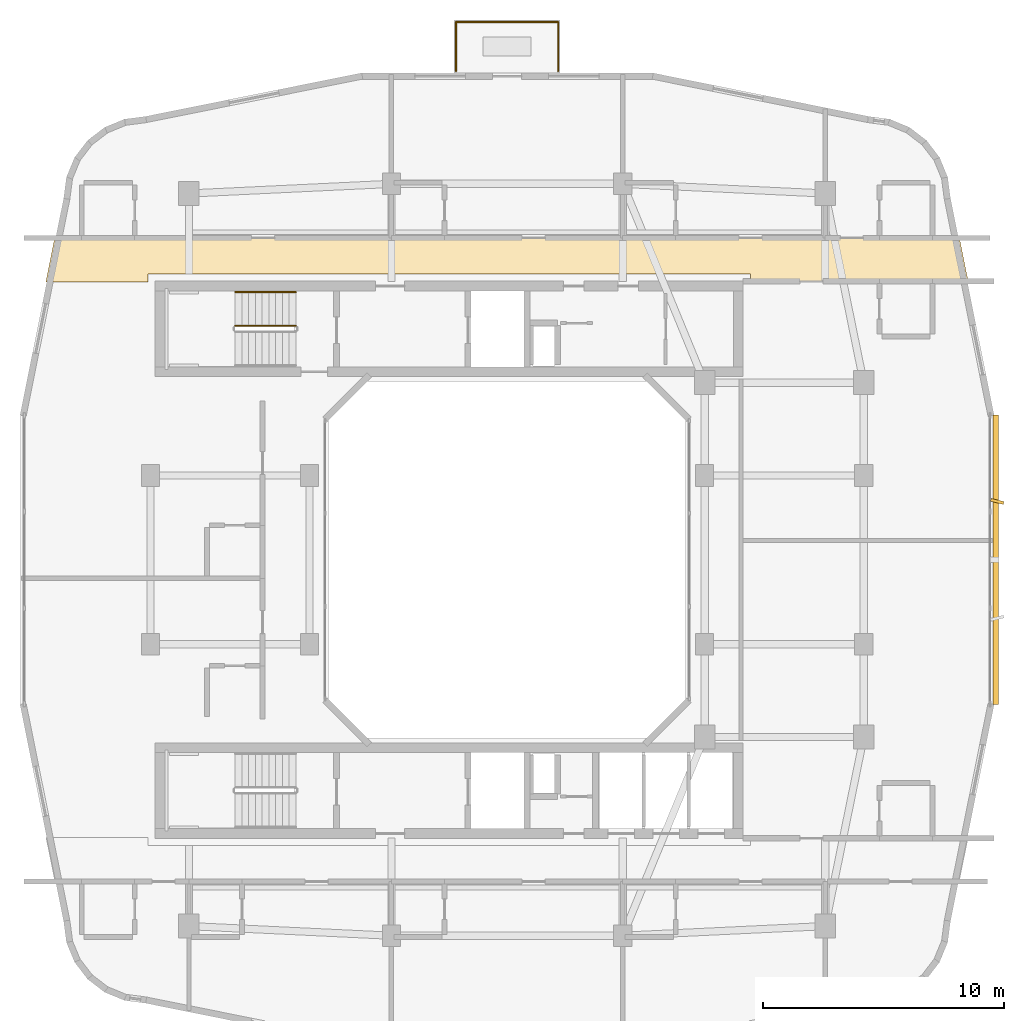
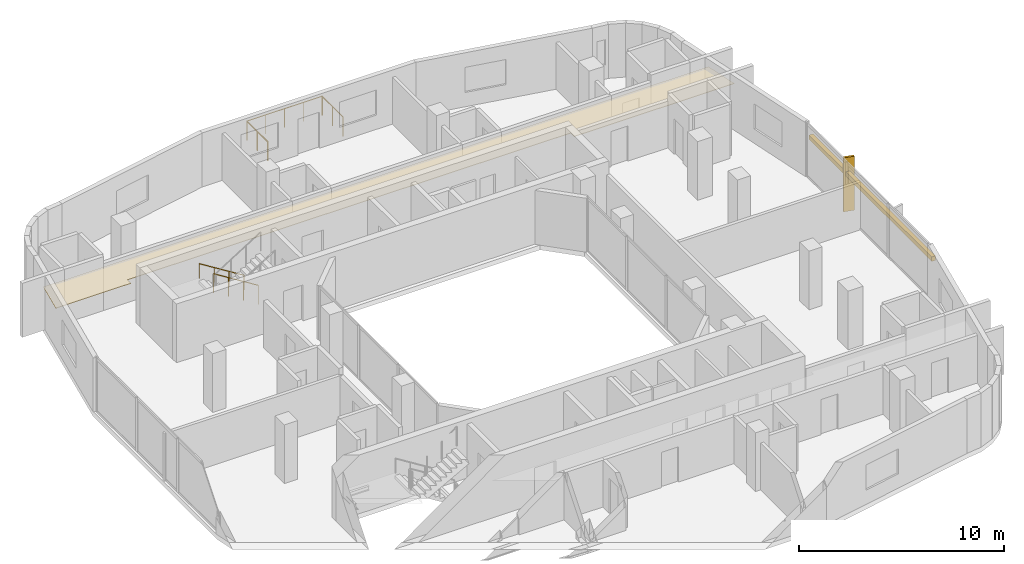
# One storey, part 13 of 13: 5 railings, 2 shading devices, 1 covering.
"""IFC4 building model written with IfcOpenShell, lengths in metres."""

from ifc_helpers import new_model, si_unit, derived_unit, direction, frame, origin, origin_2d, place, context, subcontext, project, spatial, polyline, rectangle, circle, outline, extrude, material, layer, layer_set, type_object, element, save


model = new_model("IFC4")

# Units and contexts
model_context = context("Model", 3, precision=1e-05, world=origin(), true_north=direction((0.0, 1.0)))
body_context = subcontext(model_context, "Body", "Model", "MODEL_VIEW")
ifc_project = project(units=[si_unit("LENGTHUNIT", "METRE"), si_unit("AREAUNIT", "SQUARE_METRE"), si_unit("VOLUMEUNIT", "CUBIC_METRE"), si_unit("PLANEANGLEUNIT", "RADIAN"), si_unit("MASSUNIT", "GRAM", prefix="KILO"), derived_unit("THERMALTRANSMITTANCEUNIT", [(si_unit("POWERUNIT", "WATT"), 1), (si_unit("LENGTHUNIT", "METRE"), -2), (si_unit("THERMODYNAMICTEMPERATUREUNIT", "KELVIN"), -1)])], contexts=[model_context])

# Site, building, storey
site_placement = place(None, origin())
site = spatial("IfcSite", under=ifc_project, at=site_placement, CompositionType="ELEMENT")
building_placement = place(site_placement, origin())
building = spatial("IfcBuilding", under=site, at=building_placement, Name="Kivonza Crest Hotel", CompositionType="ELEMENT")
storey_placement = place(building_placement, frame((0.0, 0.0, 155.5)))
storey = spatial("IfcBuildingStorey", under=building, at=storey_placement, Name="L42", CompositionType="ELEMENT", Elevation=155.5)

# Covering
ifc_material_1 = material(Name="Moisture-resistant gypsum plasterboard ceiling", Category="gypsum")
ifc_layer = layer(ifc_material_1, 0.030029296875)
ifc_layer_set = layer_set([ifc_layer], Name="Moisture-resistant gypsum plasterboard ceiling")
covering_type = type_object("IfcCoveringType", Name="CV-CEIL-GYP", PredefinedType="CEILING", material=ifc_layer_set)
covering_placement = place(storey_placement, frame((0.0, 0.0, 2.449951171875)))
element("IfcCovering", 1, at=covering_placement, inside=storey, type_object=covering_type, Name="L42 Hotel North Guest Corridor suspended ceiling", PredefinedType="CEILING", context=body_context, shape_type="SweptSolid", body=[
    extrude(outline(polyline([(2.235107421875, 38.389892578125), (1.85791015625, 36.52001953125), (6.10009765625, 36.52001953125), (6.10009765625, 36.860107421875), (31.10009765625, 36.860107421875), (31.10009765625, 36.52001953125), (40.14208984375, 36.52001953125), (39.764892578125, 38.389892578125), (2.235107421875, 38.389892578125)])), origin(), (0.0, 0.0, 1.0), 0.030029296875),
])

# Railings
ifc_material_2 = material(Name="Brushed stainless steel handrail", Category="steel")
railing_type_1 = type_object("IfcRailingType", Name="RL-HAND-900", PredefinedType="HANDRAIL", material=ifc_material_2)
railing_1_placement = place(storey_placement, frame((12.239990234375, 36.110107421875, 0.175048828125)))
element("IfcRailing", 2, at=railing_1_placement, inside=storey, type_object=railing_type_1, Name="L42 ST-T1-N stair handrail 1", PredefinedType="HANDRAIL", context=body_context, shape_type="SweptSolid", body=[
    extrude(circle(Radius=0.02392578125, at=origin_2d()), frame((0.0, 0.0, 0.8759765625), z_axis=(-0.848007534815, 0.0, 0.529984170421), x_axis=(0.0, -1.0, 0.0)), (0.0, 0.0, 1.0), 2.9716796875),
    extrude(circle(Radius=0.02099609375, at=origin_2d()), origin(), (0.0, 0.0, 1.0), 0.851806640625),
    extrude(circle(Radius=0.02099609375, at=origin_2d()), frame((-0.840087890625, 0.0, 0.52490234375)), (0.0, 0.0, 1.0), 0.851806640625),
    extrude(circle(Radius=0.02099609375, at=origin_2d()), frame((-1.679931640625, 0.0, 1.050048828125)), (0.0, 0.0, 1.0), 0.851806640625),
    extrude(circle(Radius=0.02099609375, at=origin_2d()), frame((-2.52001953125, 0.0, 1.574951171875)), (0.0, 0.0, 1.0), 0.851806640625),
])
ifc_material_3 = material(Name="Painted steel balustrade", Category="steel")
railing_type_2 = type_object("IfcRailingType", Name="RL-STAIR-1150", PredefinedType="BALUSTRADE", material=ifc_material_3)
railing_2_placement = place(storey_placement, frame((12.239990234375, 34.7099609375, 0.175048828125)))
element("IfcRailing", 3, at=railing_2_placement, inside=storey, type_object=railing_type_2, Name="L42 ST-T1-N stair guard 1", PredefinedType="BALUSTRADE", context=body_context, shape_type="SweptSolid", body=[
    extrude(circle(Radius=0.02392578125, at=origin_2d()), frame((0.0, 0.0, 1.1259765625), z_axis=(-0.848007534815, 0.0, 0.529984170421), x_axis=(0.0, -1.0, 0.0)), (0.0, 0.0, 1.0), 2.9716796875),
    extrude(circle(Radius=0.02099609375, at=origin_2d()), origin(), (0.0, 0.0, 1.0), 1.101806640625),
    extrude(circle(Radius=0.02099609375, at=origin_2d()), frame((-0.840087890625, 0.0, 0.52490234375)), (0.0, 0.0, 1.0), 1.101806640625),
    extrude(circle(Radius=0.02099609375, at=origin_2d()), frame((-1.679931640625, 0.0, 1.050048828125)), (0.0, 0.0, 1.0), 1.101806640625),
    extrude(circle(Radius=0.02099609375, at=origin_2d()), frame((-2.52001953125, 0.0, 1.574951171875)), (0.0, 0.0, 1.0), 1.101806640625),
])
ifc_material_4 = material(Name="Laminated glass and stainless steel balustrade", Category="steel")
railing_type_3 = type_object("IfcRailingType", Name="RL-TERR-1150", PredefinedType="BALUSTRADE", material=ifc_material_4)
railing_3_placement = place(storey_placement, frame((18.8798828125, 45.280029296875, 0.0)))
element("IfcRailing", 4, at=railing_3_placement, inside=storey, type_object=railing_type_3, Name="L42 T1-L42-SG-NE perimeter safety balustrade 1", PredefinedType="BALUSTRADE", context=body_context, shape_type="SweptSolid", body=[
    extrude(circle(Radius=0.02392578125, at=origin_2d()), frame((0.0, 0.0, 1.1259765625), z_axis=(0.0, 1.0, 0.0), x_axis=(-1.0, 0.0, 0.0)), (0.0, 0.0, 1.0), 2.0400390625),
    extrude(circle(Radius=0.02099609375, at=origin_2d()), origin(), (0.0, 0.0, 1.0), 1.101806640625),
    extrude(circle(Radius=0.02099609375, at=origin_2d()), frame((0.0, 1.02001953125, 0.0)), (0.0, 0.0, 1.0), 1.101806640625),
    extrude(circle(Radius=0.02099609375, at=origin_2d()), frame((0.0, 2.0400390625, 0.0)), (0.0, 0.0, 1.0), 1.101806640625),
])
railing_4_placement = place(storey_placement, frame((18.8798828125, 47.320068359375, 0.0)))
element("IfcRailing", 5, at=railing_4_placement, inside=storey, type_object=railing_type_3, Name="L42 T1-L42-SG-NE perimeter safety balustrade 2", PredefinedType="BALUSTRADE", context=body_context, shape_type="SweptSolid", body=[
    extrude(circle(Radius=0.02392578125, at=origin_2d()), frame((0.0, 0.0, 1.1259765625), z_axis=(1.0, 0.0, 0.0), x_axis=(0.0, 1.0, 0.0)), (0.0, 0.0, 1.0), 4.240234375),
    extrude(circle(Radius=0.02099609375, at=origin_2d()), origin(), (0.0, 0.0, 1.0), 1.101806640625),
    extrude(circle(Radius=0.02099609375, at=origin_2d()), frame((1.06005859375, 0.0, 0.0)), (0.0, 0.0, 1.0), 1.101806640625),
    extrude(circle(Radius=0.02099609375, at=origin_2d()), frame((2.1201171875, 0.0, 0.0)), (0.0, 0.0, 1.0), 1.101806640625),
    extrude(circle(Radius=0.02099609375, at=origin_2d()), frame((3.18017578125, 0.0, 0.0)), (0.0, 0.0, 1.0), 1.101806640625),
    extrude(circle(Radius=0.02099609375, at=origin_2d()), frame((4.240234375, 0.0, 0.0)), (0.0, 0.0, 1.0), 1.101806640625),
])
railing_5_placement = place(storey_placement, frame((23.1201171875, 47.320068359375, 0.0)))
element("IfcRailing", 6, at=railing_5_placement, inside=storey, type_object=railing_type_3, Name="L42 T1-L42-SG-NE perimeter safety balustrade 3", PredefinedType="BALUSTRADE", context=body_context, shape_type="SweptSolid", body=[
    extrude(circle(Radius=0.02392578125, at=origin_2d()), frame((0.0, 0.0, 1.1259765625), z_axis=(0.0, -1.0, 0.0), x_axis=(1.0, 0.0, 0.0)), (0.0, 0.0, 1.0), 2.0400390625),
    extrude(circle(Radius=0.02099609375, at=origin_2d()), origin(), (0.0, 0.0, 1.0), 1.101806640625),
    extrude(circle(Radius=0.02099609375, at=origin_2d()), frame((0.0, -1.02001953125, 0.0)), (0.0, 0.0, 1.0), 1.101806640625),
    extrude(circle(Radius=0.02099609375, at=origin_2d()), frame((0.0, -2.0400390625, 0.0)), (0.0, 0.0, 1.0), 1.101806640625),
])

# Shading devices
ifc_material_5 = material(Name="Kiln-fired Nairobi red-ochre terracotta", Category="masonry")
shading_device_type_1 = type_object("IfcShadingDeviceType", Name="SH-BAGUETTE-300", PredefinedType="USERDEFINED", material=ifc_material_5)
shading_device_1_placement = place(storey_placement, frame((41.280029296875, 25.0, 2.1240234375), z_axis=(0.0, 0.0, 1.0), x_axis=(0.0, 1.0, 0.0)))
element("IfcShadingDevice", 7, at=shading_device_1_placement, inside=storey, type_object=shading_device_type_1, Name="L42 terracotta baguette screen CW-T1-L42-17", ObjectType="BAGUETTE", PredefinedType="USERDEFINED", context=body_context, shape_type="SweptSolid", body=[
    extrude(rectangle(XDim=12.0, YDim=0.219970703125, at=origin_2d()), origin(), (0.0, 0.0, 1.0), 0.260009765625),
])
ifc_material_6 = material(Name="Kiln-fired terracotta over extruded aluminium spine", Category="masonry")
shading_device_type_2 = type_object("IfcShadingDeviceType", Name="SH-FIN-550", PredefinedType="USERDEFINED", material=ifc_material_6)
shading_device_2_placement = place(storey_placement, frame((41.340087890625, 27.424072265625, 0.0), z_axis=(0.0, 0.0, 1.0), x_axis=(0.2419218956, 0.970295726276, 0.0)))
element("IfcShadingDevice", 8, at=shading_device_2_placement, inside=storey, type_object=shading_device_type_2, Name="L42 vertical solar shading fin CW-T1-L42-17-2", ObjectType="FIN", PredefinedType="USERDEFINED", context=body_context, shape_type="SweptSolid", body=[
    extrude(rectangle(XDim=0.1201171875, YDim=0.550048828125, at=origin_2d()), origin(), (0.0, 0.0, 1.0), 3.219970703125),
])

save(model, "model.ifc")
